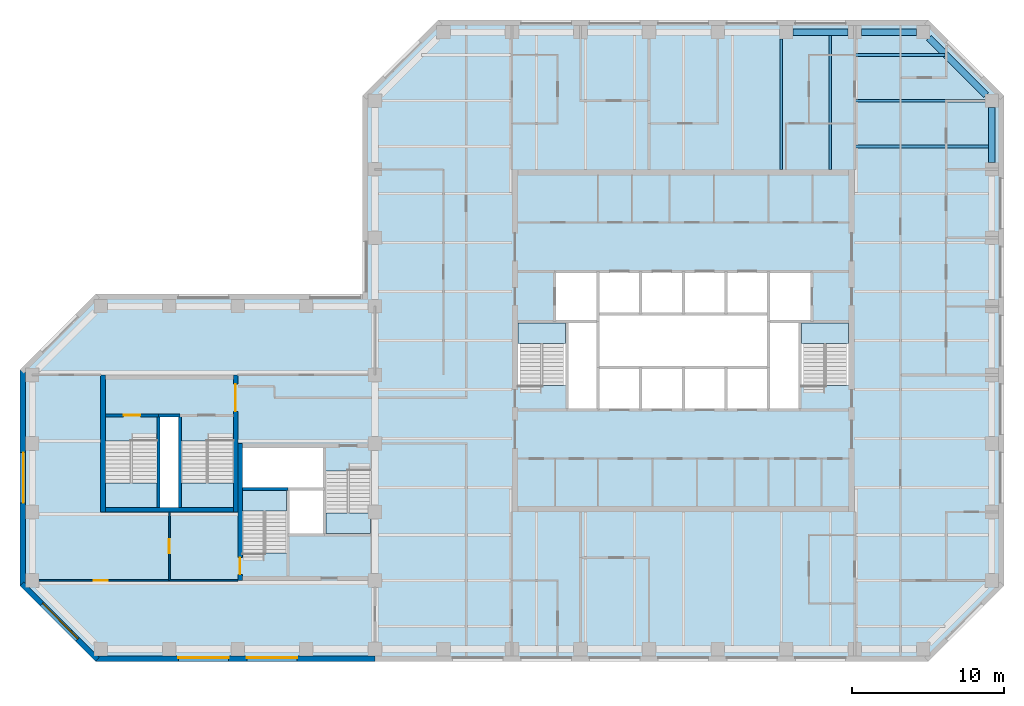
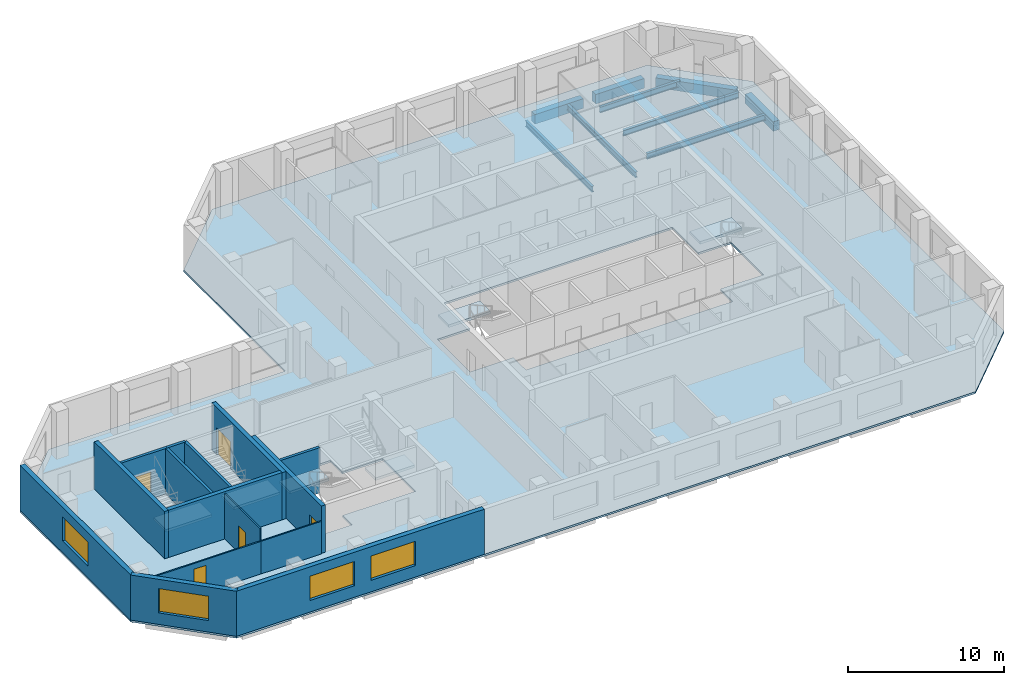
# One storey, part 2 of 9: 15 walls, 9 beams, 7 slabs, 5 doors, 4 windows, 9 openings, 6 elements without a shape of their own.
"""IFC4 building model written with IfcOpenShell, lengths in metres."""

from ifc_helpers import new_model, si_unit, direction, frame, frame_2d, origin, origin_2d, place, context, subcontext, project, spatial, polyline, rectangle, i_section, outline, extrude, material, layer, layer_set, constituent, constituent_set, material_profile, profile_set, type_object, element, fill, aggregate, save


model = new_model("IFC4")

# Units and contexts
model_context = context("Model", 3, precision=1e-05, world=origin(), true_north=direction((0.0, 1.0)))
body_context = subcontext(model_context, "Body", "Model", "MODEL_VIEW")
ifc_project = project(units=[si_unit("LENGTHUNIT", "METRE"), si_unit("AREAUNIT", "SQUARE_METRE"), si_unit("VOLUMEUNIT", "CUBIC_METRE"), si_unit("PLANEANGLEUNIT", "RADIAN"), si_unit("MASSUNIT", "GRAM", prefix="KILO")], contexts=[model_context])

# Site, building, storey
site_placement = place(None, origin())
site = spatial("IfcSite", under=ifc_project, at=site_placement, CompositionType="ELEMENT")
building_placement = place(site_placement, origin())
building = spatial("IfcBuilding", under=site, at=building_placement, Name="Quoin Convention Tower", CompositionType="ELEMENT")
storey_placement = place(building_placement, frame((0.0, 0.0, 226.699951171875)))
storey = spatial("IfcBuildingStorey", under=building, at=storey_placement, Name="L59", CompositionType="ELEMENT", Elevation=226.699951171875)

# Beams
ifc_material_1 = material(Name="Steel Grade 300", Category="steel")
ifc_material_profile_1 = material_profile(ifc_material_1, i_section(OverallWidth=0.18994140625, OverallDepth=0.4541015625, WebThickness=0.008544921875, FlangeThickness=0.0126953125, FilletRadius=0.011474609375, at=origin_2d()), Name="460UB67.1")
ifc_profile_set_1 = profile_set([ifc_material_profile_1], Name="Steel Grade 300")
beam_type_1 = type_object("IfcBeamType", Name="460UB67.1", PredefinedType="BEAM", material=ifc_profile_set_1)
beam_1_placement = place(storey_placement, frame((62.6787109375, 72.0, -0.376953125), z_axis=(0.0, 1.0, 0.0), x_axis=(-1.0, 0.0, 0.0)))
element("IfcBeam", 1, at=beam_1_placement, inside=storey, type_object=beam_type_1, Name="bm-L59-T1N5", PredefinedType="BEAM", context=body_context, shape_type="SweptSolid", body=[
    extrude(i_section(OverallWidth=0.18994140625, OverallDepth=0.4541015625, WebThickness=0.008544921875, FlangeThickness=0.0126953125, FilletRadius=0.011474609375, at=origin_2d()), origin(), (0.0, 0.0, 1.0), 8.550048828125),
])
beam_2_placement = place(storey_placement, frame((65.892822265625, 72.0, -0.376953125), z_axis=(0.0, 1.0, 0.0), x_axis=(-1.0, 0.0, 0.0)))
element("IfcBeam", 2, at=beam_2_placement, inside=storey, type_object=beam_type_1, Name="bm-L59-T1N6", PredefinedType="BEAM", context=body_context, shape_type="SweptSolid", body=[
    extrude(i_section(OverallWidth=0.18994140625, OverallDepth=0.4541015625, WebThickness=0.008544921875, FlangeThickness=0.0126953125, FilletRadius=0.011474609375, at=origin_2d()), origin(), (0.0, 0.0, 1.0), 8.77490234375),
])
beam_3_placement = place(storey_placement, frame((67.5, 79.5, -0.376953125), z_axis=(1.0, 0.0, 0.0), x_axis=(0.0, 1.0, 0.0)))
element("IfcBeam", 3, at=beam_3_placement, inside=storey, type_object=beam_type_1, Name="bm-L59-T1NE0", PredefinedType="BEAM", context=body_context, shape_type="SweptSolid", body=[
    extrude(i_section(OverallWidth=0.18994140625, OverallDepth=0.4541015625, WebThickness=0.008544921875, FlangeThickness=0.0126953125, FilletRadius=0.011474609375, at=origin_2d()), origin(), (0.0, 0.0, 1.0), 5.935791015625),
])
beam_4_placement = place(storey_placement, frame((67.5, 76.5, -0.376953125), z_axis=(1.0, 0.0, 0.0), x_axis=(0.0, 1.0, 0.0)))
element("IfcBeam", 4, at=beam_4_placement, inside=storey, type_object=beam_type_1, Name="bm-L59-T1NE1", PredefinedType="BEAM", context=body_context, shape_type="SweptSolid", body=[
    extrude(i_section(OverallWidth=0.18994140625, OverallDepth=0.4541015625, WebThickness=0.008544921875, FlangeThickness=0.0126953125, FilletRadius=0.011474609375, at=origin_2d()), origin(), (0.0, 0.0, 1.0), 8.550048828125),
])
beam_5_placement = place(storey_placement, frame((67.5, 73.5, -0.376953125), z_axis=(1.0, 0.0, 0.0), x_axis=(0.0, 1.0, 0.0)))
element("IfcBeam", 5, at=beam_5_placement, inside=storey, type_object=beam_type_1, Name="bm-L59-T1NE2", PredefinedType="BEAM", context=body_context, shape_type="SweptSolid", body=[
    extrude(i_section(OverallWidth=0.18994140625, OverallDepth=0.4541015625, WebThickness=0.008544921875, FlangeThickness=0.0126953125, FilletRadius=0.011474609375, at=origin_2d()), origin(), (0.0, 0.0, 1.0), 8.77490234375),
])
ifc_material_2 = material(Name="Concrete C50", Category="concrete")
ifc_material_profile_2 = material_profile(ifc_material_2, rectangle(XDim=0.449951171875, YDim=0.75, at=origin_2d()), Name="RC 450x750")
ifc_profile_set_2 = profile_set([ifc_material_profile_2], Name="Concrete C50")
beam_type_2 = type_object("IfcBeamType", Name="RC 450x750 C50", PredefinedType="SPANDREL", material=ifc_profile_set_2)
beam_6_placement = place(storey_placement, frame((76.5, 72.449951171875, -0.52490234375), z_axis=(0.0, 1.0, 0.0), x_axis=(-1.0, 0.0, 0.0)))
element("IfcBeam", 6, at=beam_6_placement, inside=storey, type_object=beam_type_2, Name="spd-L59-76500_72000-76500_76500", PredefinedType="SPANDREL", context=body_context, shape_type="SweptSolid", body=[
    extrude(rectangle(XDim=0.449951171875, YDim=0.75, at=origin_2d()), origin(), (0.0, 0.0, 1.0), 3.60009765625),
])
beam_7_placement = place(storey_placement, frame((76.135009765625, 76.864990234375, -0.52490234375), z_axis=(-0.707106781187, 0.707106781187, 0.0), x_axis=(-0.707106781187, -0.707106781187, 0.0)))
element("IfcBeam", 7, at=beam_7_placement, inside=storey, type_object=beam_type_2, Name="spd-L59-76500_76500-72000_81000", PredefinedType="SPANDREL", context=body_context, shape_type="SweptSolid", body=[
    extrude(rectangle(XDim=0.449951171875, YDim=0.75, at=origin_2d()), origin(), (0.0, 0.0, 1.0), 5.33154296875),
])
for number, where, z_axis, x_axis, name in (
    (8, (71.550048828125, 81.0, -0.52490234375), (-1.0, 0.0, 0.0), (0.0, -1.0, 0.0), "spd-L59-72000_81000-67500_81000"),
    (9, (67.050048828125, 81.0, -0.52490234375), (-1.0, 0.0, 0.0), (0.0, -1.0, 0.0), "spd-L59-67500_81000-63000_81000"),
):
    element("IfcBeam", number, at=place(storey_placement, frame(where, z_axis=z_axis, x_axis=x_axis)), inside=storey, type_object=beam_type_2, Name=name, PredefinedType="SPANDREL", context=body_context, shape_type="SweptSolid", body=[
        extrude(rectangle(XDim=0.449951171875, YDim=0.75, at=origin_2d()), origin(), (0.0, 0.0, 1.0), 3.60009765625),
    ])

# Slab
ifc_material_3 = material(Name="Concrete C40", Category="concrete")
ifc_layer_1 = layer(ifc_material_3, 0.14990234375)
ifc_layer_set_1 = layer_set([ifc_layer_1], Name="Concrete C40")
slab_type_1 = type_object("IfcSlabType", Name="COMPOSITE SLAB 150 C40", PredefinedType="FLOOR", material=ifc_layer_set_1)
slab_1_placement = place(storey_placement, frame((0.0, 0.0, -0.14990234375)))
element("IfcSlab", 10, at=slab_1_placement, inside=storey, type_object=slab_type_1, Name="slb-L59", PredefinedType="FLOOR", context=body_context, shape_type="SweptSolid", body=[
    extrude(outline(polyline([(17.668701171875, 39.699951171875), (12.699951171875, 44.668701171875), (12.699951171875, 58.831298828125), (17.668701171875, 63.800048828125), (35.199951171875, 63.800048828125), (35.199951171875, 76.831298828125), (40.168701171875, 81.800048828125), (72.331298828125, 81.800048828125), (77.300048828125, 76.831298828125), (77.300048828125, 44.668701171875), (72.331298828125, 39.699951171875), (17.668701171875, 39.699951171875)]), holes=[polyline([(27.300048828125, 51.0), (27.300048828125, 46.800537109375), (30.300048828125, 46.800537109375), (30.300048828125, 48.0), (32.699951171875, 48.0), (35.699951171875, 48.0), (35.699951171875, 52.199462890625), (32.699951171875, 52.199462890625), (32.699951171875, 53.699951171875), (27.300048828125, 53.699951171875), (27.300048828125, 51.0)]), polyline([(18.300048828125, 49.800048828125), (21.800048828125, 49.800048828125), (23.199951171875, 49.800048828125), (26.699951171875, 49.800048828125), (26.699951171875, 54.1494140625), (23.199951171875, 54.1494140625), (23.199951171875, 55.85009765625), (21.800048828125, 55.85009765625), (21.800048828125, 54.1494140625), (18.300048828125, 54.1494140625), (18.300048828125, 49.800048828125)]), polyline([(48.60009765625, 56.199951171875), (50.64990234375, 56.199951171875), (53.449951171875, 56.199951171875), (56.25, 56.199951171875), (59.050048828125, 56.199951171875), (61.85009765625, 56.199951171875), (63.89990234375, 56.199951171875), (63.89990234375, 57.800537109375), (67.10009765625, 57.800537109375), (67.10009765625, 62.0), (64.699951171875, 62.0), (64.699951171875, 65.300048828125), (61.85009765625, 65.300048828125), (59.050048828125, 65.300048828125), (56.25, 65.300048828125), (53.449951171875, 65.300048828125), (50.64990234375, 65.300048828125), (47.800048828125, 65.300048828125), (47.800048828125, 62.0), (45.39990234375, 62.0), (45.39990234375, 57.800537109375), (48.60009765625, 57.800537109375), (48.60009765625, 56.199951171875)])]), origin(), (0.0, 0.0, 1.0), 0.14990234375),
])

# Stair, slab
stair_type_1 = type_object("IfcStairType", Name="Exit stair two-flight 1350", PredefinedType="HALF_TURN_STAIR", material=ifc_material_3)
stair_1_placement = place(storey_placement, origin())
stair_1 = element("IfcStair", 11, at=stair_1_placement, inside=storey, type_object=stair_type_1, Name="SD1 L59", PredefinedType="HALF_TURN_STAIR")
ifc_layer_2 = layer(ifc_material_3, 0.199951171875)
ifc_layer_set_2 = layer_set([ifc_layer_2], Name="Concrete C40")
slab_type_2 = type_object("IfcSlabType", Name="Stair landing 200", PredefinedType="LANDING", material=ifc_layer_set_2)
slab_2_placement = place(storey_placement, frame((0.0, 0.0, 1.792236328125)))
slab_2 = element("IfcSlab", 12, at=slab_2_placement, type_object=slab_type_2, Name="ST1 landing 1", PredefinedType="LANDING", context=body_context, shape_type="SweptSolid", body=[
    extrude(outline(polyline([(45.39990234375, 60.550048828125), (48.5, 60.550048828125), (48.5, 61.89990234375), (45.39990234375, 61.89990234375), (45.39990234375, 60.550048828125)])), origin(), (0.0, 0.0, 1.0), 0.2001953125),
])
aggregate(stair_1, [slab_2])

stair_2_placement = place(storey_placement, origin())
stair_2 = element("IfcStair", 13, at=stair_2_placement, inside=storey, type_object=stair_type_1, Name="SD2 L59", PredefinedType="HALF_TURN_STAIR")
slab_3_placement = place(storey_placement, frame((0.0, 0.0, 1.792236328125)))
slab_3 = element("IfcSlab", 14, at=slab_3_placement, type_object=slab_type_2, Name="ST2 landing 1", PredefinedType="LANDING", context=body_context, shape_type="SweptSolid", body=[
    extrude(outline(polyline([(64.0, 60.550048828125), (67.10009765625, 60.550048828125), (67.10009765625, 61.89990234375), (64.0, 61.89990234375), (64.0, 60.550048828125)])), origin(), (0.0, 0.0, 1.0), 0.2001953125),
])
aggregate(stair_2, [slab_3])

stair_3_placement = place(storey_placement, origin())
stair_3 = element("IfcStair", 15, at=stair_3_placement, inside=storey, type_object=stair_type_1, Name="SD3 L59", PredefinedType="HALF_TURN_STAIR")
slab_4_placement = place(storey_placement, frame((0.0, 0.0, 1.792236328125)))
slab_4 = element("IfcSlab", 16, at=slab_4_placement, type_object=slab_type_2, Name="ST3 landing 1", PredefinedType="LANDING", context=body_context, shape_type="SweptSolid", body=[
    extrude(outline(polyline([(27.300048828125, 49.550048828125), (30.199951171875, 49.550048828125), (30.199951171875, 50.89990234375), (27.300048828125, 50.89990234375), (27.300048828125, 49.550048828125)])), origin(), (0.0, 0.0, 1.0), 0.2001953125),
])
aggregate(stair_3, [slab_4])

stair_4_placement = place(storey_placement, origin())
stair_4 = element("IfcStair", 17, at=stair_4_placement, inside=storey, type_object=stair_type_1, Name="SD4 L59", PredefinedType="HALF_TURN_STAIR")
slab_5_placement = place(storey_placement, frame((0.0, 0.0, 1.792236328125)))
slab_5 = element("IfcSlab", 18, at=slab_5_placement, type_object=slab_type_2, Name="ST4 landing 1", PredefinedType="LANDING", context=body_context, shape_type="SweptSolid", body=[
    extrude(outline(polyline([(35.699951171875, 49.449951171875), (32.800048828125, 49.449951171875), (32.800048828125, 48.10009765625), (35.699951171875, 48.10009765625), (35.699951171875, 49.449951171875)])), origin(), (0.0, 0.0, 1.0), 0.2001953125),
])
aggregate(stair_4, [slab_5])

stair_type_2 = type_object("IfcStairType", Name="Exit stair two-flight 1600", PredefinedType="HALF_TURN_STAIR", material=ifc_material_3)
stair_5_placement = place(storey_placement, origin())
stair_5 = element("IfcStair", 19, at=stair_5_placement, inside=storey, type_object=stair_type_2, Name="SD11 L59", PredefinedType="HALF_TURN_STAIR")
slab_6_placement = place(storey_placement, frame((0.0, 0.0, 1.792236328125)))
slab_6 = element("IfcSlab", 20, at=slab_6_placement, type_object=slab_type_2, Name="ST11 landing 1", PredefinedType="LANDING", context=body_context, shape_type="SweptSolid", body=[
    extrude(outline(polyline([(21.699951171875, 51.39990234375), (18.300048828125, 51.39990234375), (18.300048828125, 49.800048828125), (21.699951171875, 49.800048828125), (21.699951171875, 51.39990234375)])), origin(), (0.0, 0.0, 1.0), 0.2001953125),
])
aggregate(stair_5, [slab_6])

stair_6_placement = place(storey_placement, origin())
stair_6 = element("IfcStair", 21, at=stair_6_placement, inside=storey, type_object=stair_type_2, Name="SD12 L59", PredefinedType="HALF_TURN_STAIR")
slab_7_placement = place(storey_placement, frame((0.0, 0.0, 1.792236328125)))
slab_7 = element("IfcSlab", 22, at=slab_7_placement, type_object=slab_type_2, Name="ST12 landing 1", PredefinedType="LANDING", context=body_context, shape_type="SweptSolid", body=[
    extrude(outline(polyline([(26.699951171875, 51.39990234375), (23.300048828125, 51.39990234375), (23.300048828125, 49.800048828125), (26.699951171875, 49.800048828125), (26.699951171875, 51.39990234375)])), origin(), (0.0, 0.0, 1.0), 0.2001953125),
])
aggregate(stair_6, [slab_7])

# Wall, opening, window
ifc_material_4 = material(Name="Brick masonry", Category="masonry")
ifc_layer_3 = layer(ifc_material_4, 0.35009765625)
ifc_layer_set_3 = layer_set([ifc_layer_3], Name="Brick masonry")
wall_type_1 = type_object("IfcWallType", Name="Brick facade wall", PredefinedType="STANDARD", material=ifc_layer_set_3)
wall_1_placement = place(storey_placement, frame((12.875, 58.831298828125, 0.0), z_axis=(0.0, 0.0, 1.0), x_axis=(0.0, -1.0, 0.0)))
wall_1 = element("IfcWall", 23, at=wall_1_placement, inside=storey, type_object=wall_type_1, Name="fw-L59-13500_58500", PredefinedType="STANDARD", context=body_context, shape_type="SweptSolid", body=[
    extrude(rectangle(XDim=14.16259765625, YDim=0.35009765625, at=frame_2d((7.081298828125, 0.0))), origin(), (0.0, 0.0, 1.0), 3.525146484375),
])
opening_1_placement = place(wall_1_placement, frame((5.431396484375, 0.0, 0.89990234375)))
opening_1 = element("IfcOpeningElement", 24, at=opening_1_placement, cuts=wall_1, Name="Opening W-02", PredefinedType="OPENING", context=body_context, shape_type="SweptSolid", body=[
    extrude(rectangle(XDim=3.300048828125, YDim=1.89990234375, at=frame_2d((1.64990234375, 0.949951171875))), frame((0.0, 0.18505859375, 0.0), z_axis=(0.0, -1.0, 0.0), x_axis=(1.0, 0.0, 0.0)), (0.0, 0.0, 1.0), 0.3701171875),
])
ifc_material_5 = material(Name="Aluminium", Category="aluminium")
ifc_constituent_1 = constituent(ifc_material_5, Name="Frame")
ifc_material_6 = material(Name="Insulated glass", Category="glass")
ifc_constituent_2 = constituent(ifc_material_6, Name="Glazing")
ifc_constituent_set = constituent_set(constituents=[ifc_constituent_1, ifc_constituent_2], Name="Aluminium")
window_type = type_object("IfcWindowType", Name="Office window", PartitioningType="DOUBLE_PANEL_VERTICAL", PredefinedType="WINDOW", material=ifc_constituent_set)
window_1_placement = place(opening_1_placement, origin())
window_1 = element("IfcWindow", 25, at=window_1_placement, inside=storey, type_object=window_type, Name="win-L59-12875_51750", OverallHeight=1.89990234375, OverallWidth=3.300048828125, PartitioningType="SINGLE_PANEL", PredefinedType="WINDOW", context=body_context, shape_type="SweptSolid", body=[
    extrude(rectangle(XDim=3.300048828125, YDim=1.89990234375, at=frame_2d((1.64990234375, 0.949951171875))), frame((0.0, 0.0849609375, 0.0), z_axis=(0.0, -1.0, 0.0), x_axis=(1.0, 0.0, 0.0)), (0.0, 0.0, 1.0), 0.06005859375),
])
fill(opening_1, window_1)

wall_2_placement = place(storey_placement, frame((12.82373046875, 44.79248046875, 0.0), z_axis=(0.0, 0.0, 1.0), x_axis=(0.707106781187, -0.707106781187, 0.0)))
wall_2 = element("IfcWall", 26, at=wall_2_placement, inside=storey, type_object=wall_type_1, Name="fw-L59-13500_45000", PredefinedType="STANDARD", context=body_context, shape_type="SweptSolid", body=[
    extrude(rectangle(XDim=7.02685546875, YDim=0.35009765625, at=frame_2d((3.513427734375, 0.0))), origin(), (0.0, 0.0, 1.0), 3.525146484375),
])
opening_2_placement = place(wall_2_placement, frame((1.86328125, 0.0, 0.89990234375)))
opening_2 = element("IfcOpeningElement", 27, at=opening_2_placement, cuts=wall_2, Name="Opening W-02", PredefinedType="OPENING", context=body_context, shape_type="SweptSolid", body=[
    extrude(rectangle(XDim=3.300048828125, YDim=1.89990234375, at=frame_2d((1.64990234375, 0.949951171875))), frame((0.0, 0.18505859375, 0.0), z_axis=(0.0, -1.0, 0.0), x_axis=(1.0, 0.0, 0.0)), (0.0, 0.0, 1.0), 0.3701171875),
])
window_2_placement = place(opening_2_placement, origin())
window_2 = element("IfcWindow", 28, at=window_2_placement, inside=storey, type_object=window_type, Name="win-L59-15308_42308", OverallHeight=1.89990234375, OverallWidth=3.300048828125, PartitioningType="SINGLE_PANEL", PredefinedType="WINDOW", context=body_context, shape_type="SweptSolid", body=[
    extrude(rectangle(XDim=3.300048828125, YDim=1.89990234375, at=frame_2d((1.64990234375, 0.949951171875))), frame((0.0, 0.0849609375, 0.0), z_axis=(0.0, -1.0, 0.0), x_axis=(1.0, 0.0, 0.0)), (0.0, 0.0, 1.0), 0.06005859375),
])
fill(opening_2, window_2)

# Wall, openings, windows
wall_3_placement = place(storey_placement, frame((17.668701171875, 39.875, 0.0), z_axis=(0.0, 0.0, 1.0), x_axis=(1.0, 0.0, 0.0)))
wall_3 = element("IfcWall", 29, at=wall_3_placement, inside=storey, type_object=wall_type_1, Name="fw-L59-18000_40500", PredefinedType="STANDARD", context=body_context, shape_type="SweptSolid", body=[
    extrude(rectangle(XDim=18.331298828125, YDim=0.35009765625, at=frame_2d((9.16552734375, 0.0))), origin(), (0.0, 0.0, 1.0), 3.525146484375),
])
opening_3_placement = place(wall_3_placement, frame((5.431396484375, 0.0, 0.89990234375)))
opening_3 = element("IfcOpeningElement", 30, at=opening_3_placement, cuts=wall_3, Name="Opening W-02", PredefinedType="OPENING", context=body_context, shape_type="SweptSolid", body=[
    extrude(rectangle(XDim=3.300048828125, YDim=1.89990234375, at=frame_2d((1.64990234375, 0.949951171875))), frame((0.0, 0.18505859375, 0.0), z_axis=(0.0, -1.0, 0.0), x_axis=(1.0, 0.0, 0.0)), (0.0, 0.0, 1.0), 0.3701171875),
])
opening_4_placement = place(wall_3_placement, frame((9.931396484375, 0.0, 0.89990234375)))
opening_4 = element("IfcOpeningElement", 31, at=opening_4_placement, cuts=wall_3, Name="Opening W-02", PredefinedType="OPENING", context=body_context, shape_type="SweptSolid", body=[
    extrude(rectangle(XDim=3.300048828125, YDim=1.89990234375, at=frame_2d((1.64990234375, 0.949951171875))), frame((0.0, 0.18505859375, 0.0), z_axis=(0.0, -1.0, 0.0), x_axis=(1.0, 0.0, 0.0)), (0.0, 0.0, 1.0), 0.3701171875),
])
window_3_placement = place(opening_3_placement, origin())
window_3 = element("IfcWindow", 32, at=window_3_placement, inside=storey, type_object=window_type, Name="win-L59-24750_39875", OverallHeight=1.89990234375, OverallWidth=3.300048828125, PartitioningType="SINGLE_PANEL", PredefinedType="WINDOW", context=body_context, shape_type="SweptSolid", body=[
    extrude(rectangle(XDim=3.300048828125, YDim=1.89990234375, at=frame_2d((1.64990234375, 0.949951171875))), frame((0.0, 0.0849609375, 0.0), z_axis=(0.0, -1.0, 0.0), x_axis=(1.0, 0.0, 0.0)), (0.0, 0.0, 1.0), 0.06005859375),
])
fill(opening_3, window_3)
window_4_placement = place(opening_4_placement, origin())
window_4 = element("IfcWindow", 33, at=window_4_placement, inside=storey, type_object=window_type, Name="win-L59-29250_39875", OverallHeight=1.89990234375, OverallWidth=3.300048828125, PartitioningType="SINGLE_PANEL", PredefinedType="WINDOW", context=body_context, shape_type="SweptSolid", body=[
    extrude(rectangle(XDim=3.300048828125, YDim=1.89990234375, at=frame_2d((1.64990234375, 0.949951171875))), frame((0.0, 0.0849609375, 0.0), z_axis=(0.0, -1.0, 0.0), x_axis=(1.0, 0.0, 0.0)), (0.0, 0.0, 1.0), 0.06005859375),
])
fill(opening_4, window_4)

# Walls
ifc_layer_4 = layer(ifc_material_2, 0.199951171875)
ifc_layer_set_4 = layer_set([ifc_layer_4], Name="Concrete C50")
wall_type_2 = type_object("IfcWallType", Name="Core shaft wall", PredefinedType="SOLIDWALL", material=ifc_layer_set_4)
wall_4_placement = place(storey_placement, frame((27.300048828125, 51.0, 0.0), z_axis=(0.0, 0.0, 1.0), x_axis=(1.0, 0.0, 0.0)))
element("IfcWall", 34, at=wall_4_placement, inside=storey, type_object=wall_type_2, Name="cr-P2-L59-h6000_300", PredefinedType="SOLIDWALL", context=body_context, shape_type="SweptSolid", body=[
    extrude(rectangle(XDim=3.0, YDim=0.199951171875, at=frame_2d((1.5, 0.0))), origin(), (0.0, 0.0, 1.0), 3.550048828125),
])
wall_5_placement = place(storey_placement, frame((21.800048828125, 55.85009765625, 0.0), z_axis=(0.0, 0.0, 1.0), x_axis=(1.0, 0.0, 0.0)))
element("IfcWall", 35, at=wall_5_placement, inside=storey, type_object=wall_type_2, Name="cr-P6-L59-h6350_3800", PredefinedType="SOLIDWALL", context=body_context, shape_type="SweptSolid", body=[
    extrude(rectangle(XDim=1.39990234375, YDim=0.199951171875, at=frame_2d((0.699951171875, 0.0))), origin(), (0.0, 0.0, 1.0), 3.550048828125),
])

# Wall, opening, door
wall_6_placement = place(storey_placement, frame((18.300048828125, 55.85009765625, 0.0), z_axis=(0.0, 0.0, 1.0), x_axis=(1.0, 0.0, 0.0)))
wall_6 = element("IfcWall", 36, at=wall_6_placement, inside=storey, type_object=wall_type_2, Name="cr-P6-L59-h6350_300", PredefinedType="SOLIDWALL", context=body_context, shape_type="SweptSolid", body=[
    extrude(rectangle(XDim=3.5, YDim=0.199951171875, at=frame_2d((1.75, 0.0))), origin(), (0.0, 0.0, 1.0), 3.550048828125),
])
opening_5_placement = place(wall_6_placement, frame((1.199951171875, 0.0, 0.0)))
opening_5 = element("IfcOpeningElement", 37, at=opening_5_placement, cuts=wall_6, Name="Opening SD11", PredefinedType="OPENING", context=body_context, shape_type="SweptSolid", body=[
    extrude(rectangle(XDim=1.10009765625, YDim=2.10009765625, at=frame_2d((0.550048828125, 1.050048828125))), frame((0.0, 0.10986328125, 0.0), z_axis=(0.0, -1.0, 0.0), x_axis=(1.0, 0.0, 0.0)), (0.0, 0.0, 1.0), 0.219970703125),
])
ifc_material_7 = material(Name="Steel door leaf", Category="steel")
door_type_1 = type_object("IfcDoorType", Name="Stair door 1100 x 2100", OperationType="SINGLE_SWING_RIGHT", PredefinedType="DOOR", material=ifc_material_7)
door_1_placement = place(opening_5_placement, origin())
door_1 = element("IfcDoor", 38, at=door_1_placement, inside=storey, type_object=door_type_1, Name="cd-P6-L59-SA-R2-SD11", OperationType="SINGLE_SWING_RIGHT", OverallHeight=2.10009765625, OverallWidth=1.10009765625, PredefinedType="DOOR", context=body_context, shape_type="SweptSolid", body=[
    extrude(rectangle(XDim=1.10009765625, YDim=2.10009765625, at=frame_2d((0.550048828125, 1.050048828125))), frame((0.0, 0.02490234375, 0.0), z_axis=(0.0, -1.0, 0.0), x_axis=(1.0, 0.0, 0.0)), (0.0, 0.0, 1.0), 0.050048828125),
])
fill(opening_5, door_1)

# Walls
for number, where, z_axis, x_axis, name in (
    (39, (21.800048828125, 49.800048828125, 0.0), (0.0, 0.0, 1.0), (0.0, 1.0, 0.0), "cr-P6-L59-v3800_300"),
    (40, (23.199951171875, 49.800048828125, 0.0), (0.0, 0.0, 1.0), (0.0, 1.0, 0.0), "cr-P6-L59-v5200_300"),
):
    element("IfcWall", number, at=place(storey_placement, frame(where, z_axis=z_axis, x_axis=x_axis)), inside=storey, type_object=wall_type_2, Name=name, PredefinedType="SOLIDWALL", context=body_context, shape_type="SweptSolid", body=[
        extrude(rectangle(XDim=6.050048828125, YDim=0.199951171875, at=frame_2d((3.02490234375, 0.0))), origin(), (0.0, 0.0, 1.0), 3.550048828125),
    ])

# Wall, opening, door
ifc_layer_5 = layer(ifc_material_2, 0.300048828125)
ifc_layer_set_5 = layer_set([ifc_layer_5], Name="Concrete C50")
wall_type_3 = type_object("IfcWallType", Name="RC CORE WALL 300 C50", PredefinedType="SHEAR", material=ifc_layer_set_5)
wall_7_placement = place(storey_placement, frame((27.14990234375, 45.0, 0.0), z_axis=(0.0, 0.0, 1.0), x_axis=(0.0, 1.0, 0.0)))
wall_7 = element("IfcWall", 41, at=wall_7_placement, inside=storey, type_object=wall_type_3, Name="cwl-P2-L59-W", PredefinedType="SHEAR", context=body_context, shape_type="SweptSolid", body=[
    extrude(rectangle(XDim=9.0, YDim=0.300048828125, at=frame_2d((4.5, 0.0))), origin(), (0.0, 0.0, 1.0), 3.699951171875),
])
opening_6_placement = place(wall_7_placement, frame((0.39990234375, 0.0, 0.0)))
opening_6 = element("IfcOpeningElement", 42, at=opening_6_placement, cuts=wall_7, Name="Opening SD3", PredefinedType="OPENING", context=body_context, shape_type="SweptSolid", body=[
    extrude(rectangle(XDim=1.10009765625, YDim=2.10009765625, at=frame_2d((0.550048828125, 1.050048828125))), frame((0.0, 0.159912109375, 0.0), z_axis=(0.0, -1.0, 0.0), x_axis=(1.0, 0.0, 0.0)), (0.0, 0.0, 1.0), 0.320068359375),
])
door_2_placement = place(opening_6_placement, frame((1.10009765625, 0.0, 0.0), z_axis=(0.0, 0.0, 1.0), x_axis=(-1.0, 0.0, 0.0)))
door_2 = element("IfcDoor", 43, at=door_2_placement, inside=storey, type_object=door_type_1, Name="cd-P2-L59-SA-W", OperationType="SINGLE_SWING_RIGHT", OverallHeight=2.10009765625, OverallWidth=1.10009765625, PredefinedType="DOOR", context=body_context, shape_type="SweptSolid", body=[
    extrude(rectangle(XDim=1.10009765625, YDim=2.10009765625, at=frame_2d((0.550048828125, 1.050048828125))), frame((0.0, 0.02490234375, 0.0), z_axis=(0.0, -1.0, 0.0), x_axis=(1.0, 0.0, 0.0)), (0.0, 0.0, 1.0), 0.050048828125),
])
fill(opening_6, door_2)

# Walls
wall_8_placement = place(storey_placement, frame((18.300048828125, 49.64990234375, 0.0), z_axis=(0.0, 0.0, 1.0), x_axis=(1.0, 0.0, 0.0)))
element("IfcWall", 44, at=wall_8_placement, inside=storey, type_object=wall_type_3, Name="cwl-P6-L59-S", PredefinedType="SHEAR", context=body_context, shape_type="SweptSolid", body=[
    extrude(rectangle(XDim=8.39990234375, YDim=0.300048828125, at=frame_2d((4.199951171875, 0.0))), origin(), (0.0, 0.0, 1.0), 3.699951171875),
])
wall_9_placement = place(storey_placement, frame((18.14990234375, 49.5, 0.0), z_axis=(0.0, 0.0, 1.0), x_axis=(0.0, 1.0, 0.0)))
element("IfcWall", 45, at=wall_9_placement, inside=storey, type_object=wall_type_3, Name="cwl-P6-L59-W", PredefinedType="SHEAR", context=body_context, shape_type="SweptSolid", body=[
    extrude(rectangle(XDim=9.0, YDim=0.300048828125, at=frame_2d((4.5, 0.0))), origin(), (0.0, 0.0, 1.0), 3.699951171875),
])

# Wall, opening, door
wall_10_placement = place(storey_placement, frame((26.85009765625, 49.5, 0.0), z_axis=(0.0, 0.0, 1.0), x_axis=(0.0, 1.0, 0.0)))
wall_10 = element("IfcWall", 46, at=wall_10_placement, inside=storey, type_object=wall_type_3, Name="cwl-P6-L59-E", PredefinedType="SHEAR", context=body_context, shape_type="SweptSolid", body=[
    extrude(rectangle(XDim=9.0, YDim=0.300048828125, at=frame_2d((4.5, 0.0))), origin(), (0.0, 0.0, 1.0), 3.699951171875),
])
opening_7_placement = place(wall_10_placement, frame((6.60009765625, 0.0, 0.0)))
opening_7 = element("IfcOpeningElement", 47, at=opening_7_placement, cuts=wall_10, Name="Opening DCV2-44", PredefinedType="OPENING", context=body_context, shape_type="SweptSolid", body=[
    extrude(rectangle(XDim=1.800048828125, YDim=2.10009765625, at=frame_2d((0.89990234375, 1.050048828125))), frame((0.0, 0.159912109375, 0.0), z_axis=(0.0, -1.0, 0.0), x_axis=(1.0, 0.0, 0.0)), (0.0, 0.0, 1.0), 0.320068359375),
])
door_type_2 = type_object("IfcDoorType", Name="Goods lobby door 1800 x 2100", OperationType="SINGLE_SWING_LEFT", PredefinedType="DOOR", material=ifc_material_7)
door_3_placement = place(opening_7_placement, origin())
door_3 = element("IfcDoor", 48, at=door_3_placement, inside=storey, type_object=door_type_2, Name="cd-P6-L59-R2-E", OperationType="SINGLE_SWING_LEFT", OverallHeight=2.10009765625, OverallWidth=1.800048828125, PredefinedType="DOOR", context=body_context, shape_type="SweptSolid", body=[
    extrude(rectangle(XDim=1.800048828125, YDim=2.10009765625, at=frame_2d((0.89990234375, 1.050048828125))), frame((0.0, 0.02490234375, 0.0), z_axis=(0.0, -1.0, 0.0), x_axis=(1.0, 0.0, 0.0)), (0.0, 0.0, 1.0), 0.050048828125),
])
fill(opening_7, door_3)

ifc_material_8 = material(Name="Plasterboard")
ifc_layer_6 = layer(ifc_material_8, 0.012451171875, Name="Finish")
ifc_material_9 = material(Name="Steel stud framing", Category="steel")
ifc_layer_7 = layer(ifc_material_9, 0.074951171875, Name="Structure")
ifc_layer_8 = layer(ifc_material_8, 0.012451171875, Name="Finish")
ifc_layer_set_6 = layer_set([ifc_layer_6, ifc_layer_7, ifc_layer_8], Name="Steel stud framing")
wall_type_4 = type_object("IfcWallType", Name="Stud partition 100", PredefinedType="PARTITIONING", material=ifc_layer_set_6)
wall_11_placement = place(storey_placement, frame((22.5, 49.5, 0.0), z_axis=(0.0, 0.0, 1.0), x_axis=(0.0, -1.0, 0.0)))
wall_11 = element("IfcWall", 49, at=wall_11_placement, inside=storey, type_object=wall_type_4, Name="pw-L59-w07", PredefinedType="PARTITIONING", context=body_context, shape_type="SweptSolid", body=[
    extrude(rectangle(XDim=4.5, YDim=0.10009765625, at=frame_2d((2.25, 0.0))), origin(), (0.0, 0.0, 1.0), 3.550048828125),
])
opening_8_placement = place(wall_11_placement, frame((1.800048828125, 0.0, 0.0)))
opening_8 = element("IfcOpeningElement", 50, at=opening_8_placement, cuts=wall_11, Name="Opening DOH10-28", PredefinedType="OPENING", context=body_context, shape_type="SweptSolid", body=[
    extrude(rectangle(XDim=0.89990234375, YDim=2.10009765625, at=frame_2d((0.449951171875, 1.050048828125))), frame((0.0, 0.06005859375, 0.0), z_axis=(0.0, -1.0, 0.0), x_axis=(1.0, 0.0, 0.0)), (0.0, 0.0, 1.0), 0.1201171875),
])
door_type_3 = type_object("IfcDoorType", Name="Office door 900 x 2100", OperationType="SINGLE_SWING_RIGHT", PredefinedType="DOOR", material=ifc_material_7)
door_4_placement = place(opening_8_placement, frame((0.89990234375, 0.0, 0.0), z_axis=(0.0, 0.0, 1.0), x_axis=(-1.0, 0.0, 0.0)))
door_4 = element("IfcDoor", 51, at=door_4_placement, inside=storey, type_object=door_type_3, Name="dr-L59-w06", OperationType="SINGLE_SWING_LEFT", OverallHeight=2.10009765625, OverallWidth=0.89990234375, PredefinedType="DOOR", context=body_context, shape_type="SweptSolid", body=[
    extrude(rectangle(XDim=0.89990234375, YDim=2.10009765625, at=frame_2d((0.449951171875, 1.050048828125))), frame((0.0, 0.02490234375, 0.0), z_axis=(0.0, -1.0, 0.0), x_axis=(1.0, 0.0, 0.0)), (0.0, 0.0, 1.0), 0.050048828125),
])
fill(opening_8, door_4)

ifc_layer_9 = layer(ifc_material_8, 0.012451171875, Name="Finish")
ifc_layer_10 = layer(ifc_material_9, 0.074951171875, Name="Structure")
ifc_layer_11 = layer(ifc_material_8, 0.012451171875, Name="Finish")
ifc_layer_set_7 = layer_set([ifc_layer_9, ifc_layer_10, ifc_layer_11], Name="Steel stud framing")
wall_type_5 = type_object("IfcWallType", Name="Stud partition 100 under beam 1000", PredefinedType="PARTITIONING", material=ifc_layer_set_7)
wall_12_placement = place(storey_placement, frame((22.5, 45.0, 0.0), z_axis=(0.0, 0.0, 1.0), x_axis=(-1.0, 0.0, 0.0)))
wall_12 = element("IfcWall", 52, at=wall_12_placement, inside=storey, type_object=wall_type_5, Name="pw-L59-w06", PredefinedType="PARTITIONING", context=body_context, shape_type="SweptSolid", body=[
    extrude(rectangle(XDim=9.0, YDim=0.10009765625, at=frame_2d((4.5, 0.0))), origin(), (0.0, 0.0, 1.0), 2.550048828125),
])
opening_9_placement = place(wall_12_placement, frame((4.050048828125, 0.0, 0.0)))
opening_9 = element("IfcOpeningElement", 53, at=opening_9_placement, cuts=wall_12, Name="Opening DOH10-27", PredefinedType="OPENING", context=body_context, shape_type="SweptSolid", body=[
    extrude(rectangle(XDim=0.89990234375, YDim=2.10009765625, at=frame_2d((0.449951171875, 1.050048828125))), frame((0.0, 0.06005859375, 0.0), z_axis=(0.0, -1.0, 0.0), x_axis=(1.0, 0.0, 0.0)), (0.0, 0.0, 1.0), 0.1201171875),
])
door_5_placement = place(opening_9_placement, origin())
door_5 = element("IfcDoor", 54, at=door_5_placement, inside=storey, type_object=door_type_3, Name="dr-L59-w05", OperationType="SINGLE_SWING_LEFT", OverallHeight=2.10009765625, OverallWidth=0.89990234375, PredefinedType="DOOR", context=body_context, shape_type="SweptSolid", body=[
    extrude(rectangle(XDim=0.89990234375, YDim=2.10009765625, at=frame_2d((0.449951171875, 1.050048828125))), frame((0.0, 0.02490234375, 0.0), z_axis=(0.0, -1.0, 0.0), x_axis=(1.0, 0.0, 0.0)), (0.0, 0.0, 1.0), 0.050048828125),
])
fill(opening_9, door_5)

# Wall
wall_13_placement = place(storey_placement, frame((22.5, 45.0, 0.0), z_axis=(0.0, 0.0, 1.0), x_axis=(1.0, 0.0, 0.0)))
element("IfcWall", 55, at=wall_13_placement, inside=storey, type_object=wall_type_5, Name="pw-L59-w08", PredefinedType="PARTITIONING", context=body_context, shape_type="SweptSolid", body=[
    extrude(rectangle(XDim=4.5, YDim=0.10009765625, at=frame_2d((2.25, 0.0))), origin(), (0.0, 0.0, 1.0), 2.550048828125),
])

save(model, "model.ifc")
